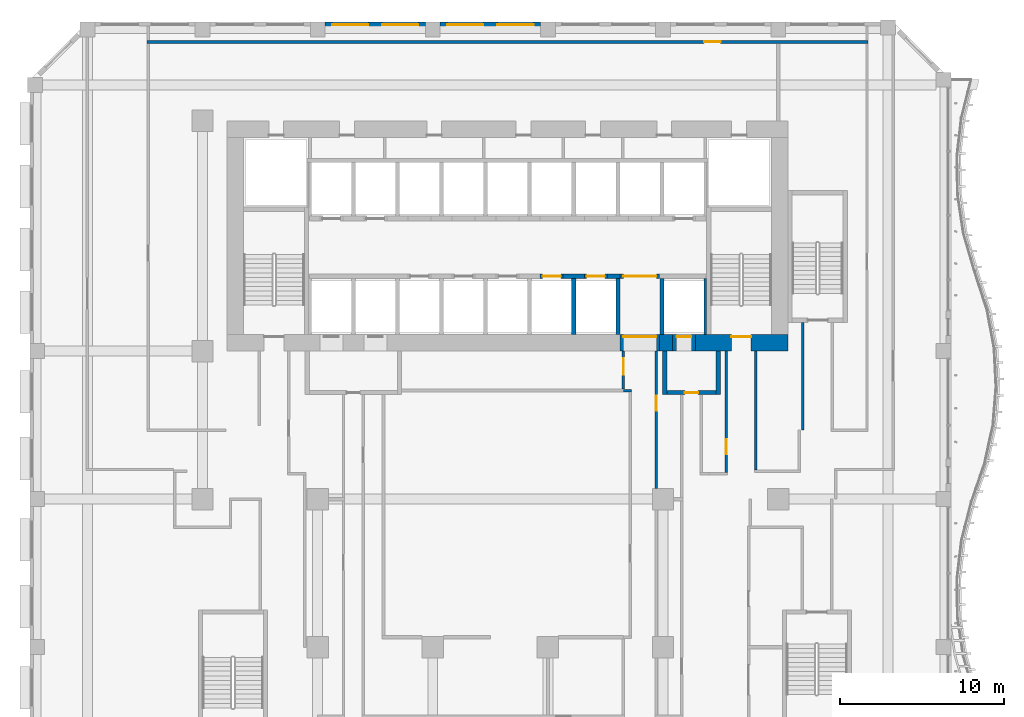
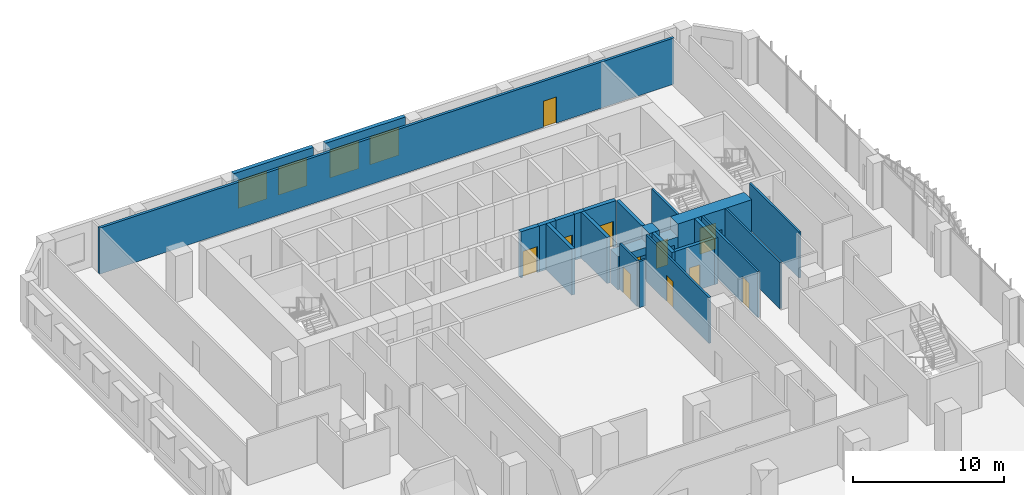
# One storey, part 14 of 27: 25 walls, 11 doors, 4 windows, 15 openings.
"""IFC4 building model written with IfcOpenShell, lengths in metres."""

from ifc_helpers import new_model, si_unit, direction, frame, frame_2d, origin, place, context, subcontext, project, spatial, rectangle, extrude, source, transform, mapped, material, layer, layer_set, type_object, element, fill, save


model = new_model("IFC4")

# Units and contexts
model_context = context("Model", 3, precision=1e-05, world=origin(), true_north=direction((0.0, 1.0)))
body_context = subcontext(model_context, "Body", "Model", "MODEL_VIEW")
ifc_project = project(units=[si_unit("LENGTHUNIT", "METRE"), si_unit("AREAUNIT", "SQUARE_METRE"), si_unit("VOLUMEUNIT", "CUBIC_METRE"), si_unit("PLANEANGLEUNIT", "RADIAN"), si_unit("MASSUNIT", "GRAM", prefix="KILO")], contexts=[model_context])

# Site, building, storey
site_placement = place(None, origin())
site = spatial("IfcSite", under=ifc_project, at=site_placement, CompositionType="ELEMENT")
building_placement = place(site_placement, origin())
building = spatial("IfcBuilding", under=site, at=building_placement, Name="Kilnfold Tower and Market Hall", CompositionType="ELEMENT")
storey_placement = place(building_placement, frame((0.0, 0.0, 47.0)))
storey = spatial("IfcBuildingStorey", under=building, at=storey_placement, Name="L10", CompositionType="ELEMENT", Elevation=47.0)

# Wall, opening, door
ifc_material_1 = material(Name="Gypsum board on steel studs", Category="steel")
ifc_layer_1 = layer(ifc_material_1, 0.14990234375)
ifc_layer_set_1 = layer_set([ifc_layer_1], Name="Gypsum board on steel studs")
wall_type_1 = type_object("IfcWallType", Name="WALL CORRIDOR 150", PredefinedType="PARTITIONING", material=ifc_layer_set_1)
wall_1_placement = place(storey_placement, frame((10.090087890625, -0.35009765625, 0.0), z_axis=(0.0, 0.0, 1.0), x_axis=(0.0, 1.0, 0.0)))
wall_1 = element("IfcWall", 1, at=wall_1_placement, inside=storey, type_object=wall_type_1, Name="Partition LY09.17", PredefinedType="PARTITIONING", context=body_context, shape_type="SweptSolid", body=[
    extrude(rectangle(XDim=8.35009765625, YDim=0.14990234375, at=frame_2d((4.175048828125, 0.0))), origin(), (0.0, 0.0, 1.0), 3.719970703125),
])
opening_1_placement = place(wall_1_placement, frame((4.73193359375, 0.0, 0.0)))
opening_1 = element("IfcOpeningElement", 2, at=opening_1_placement, cuts=wall_1, Name="Opening D2", PredefinedType="OPENING", context=body_context, shape_type="SweptSolid", body=[
    extrude(rectangle(XDim=0.89990234375, YDim=2.10009765625, at=frame_2d((0.449951171875, 1.050048828125))), frame((0.0, 0.0849609375, 0.0), z_axis=(0.0, -1.0, 0.0), x_axis=(1.0, 0.0, 0.0)), (0.0, 0.0, 1.0), 0.169921875),
])
ifc_material_2 = material(Name="Timber veneer door leaf in steel frame", Category="steel")
door_type_1 = type_object("IfcDoorType", Name="DOOR ROOM 900 X2100", OperationType="NOTDEFINED", PredefinedType="DOOR", material=ifc_material_2)
door_1_placement = place(opening_1_placement, origin())
door_1 = element("IfcDoor", 3, at=door_1_placement, inside=storey, type_object=door_type_1, Name="Door D2", OperationType="SINGLE_SWING_RIGHT", OverallHeight=2.10009765625, OverallWidth=0.89990234375, PredefinedType="DOOR", context=body_context, shape_type="SweptSolid", body=[
    extrude(rectangle(XDim=0.89990234375, YDim=2.10009765625, at=frame_2d((0.449951171875, 1.050048828125))), frame((0.0, 0.02490234375, 0.0), z_axis=(0.0, -1.0, 0.0), x_axis=(1.0, 0.0, 0.0)), (0.0, 0.0, 1.0), 0.050048828125),
])
fill(opening_1, door_1)

wall_2_placement = place(storey_placement, frame((14.35009765625, 8.0, 0.0), z_axis=(0.0, 0.0, 1.0), x_axis=(0.0, -1.0, 0.0)))
wall_2 = element("IfcWall", 4, at=wall_2_placement, inside=storey, type_object=wall_type_1, Name="Partition LY09.22", PredefinedType="PARTITIONING", context=body_context, shape_type="SweptSolid", body=[
    extrude(rectangle(XDim=7.375, YDim=0.14990234375, at=frame_2d((3.6875, 0.0))), origin(), (0.0, 0.0, 1.0), 3.719970703125),
])
opening_2_placement = place(wall_2_placement, frame((5.364013671875, 0.0, 0.0)))
opening_2 = element("IfcOpeningElement", 5, at=opening_2_placement, cuts=wall_2, Name="Opening D2", PredefinedType="OPENING", context=body_context, shape_type="SweptSolid", body=[
    extrude(rectangle(XDim=0.89990234375, YDim=2.10009765625, at=frame_2d((0.449951171875, 1.050048828125))), frame((0.0, 0.0849609375, 0.0), z_axis=(0.0, -1.0, 0.0), x_axis=(1.0, 0.0, 0.0)), (0.0, 0.0, 1.0), 0.169921875),
])
door_2_placement = place(opening_2_placement, origin())
door_2 = element("IfcDoor", 6, at=door_2_placement, inside=storey, type_object=door_type_1, Name="Door D2", OperationType="SINGLE_SWING_RIGHT", OverallHeight=2.10009765625, OverallWidth=0.89990234375, PredefinedType="DOOR", context=body_context, shape_type="SweptSolid", body=[
    extrude(rectangle(XDim=0.89990234375, YDim=2.10009765625, at=frame_2d((0.449951171875, 1.050048828125))), frame((0.0, 0.02490234375, 0.0), z_axis=(0.0, -1.0, 0.0), x_axis=(1.0, 0.0, 0.0)), (0.0, 0.0, 1.0), 0.050048828125),
])
fill(opening_2, door_2)

# Walls
wall_3_placement = place(storey_placement, frame((16.14990234375, 0.77490234375, 0.0), z_axis=(0.0, 0.0, 1.0), x_axis=(0.0, 1.0, 0.0)))
element("IfcWall", 7, at=wall_3_placement, inside=storey, type_object=wall_type_1, Name="Partition LY09.23", PredefinedType="PARTITIONING", context=body_context, shape_type="SweptSolid", body=[
    extrude(rectangle(XDim=7.22509765625, YDim=0.14990234375, at=frame_2d((3.612548828125, 0.0))), origin(), (0.0, 0.0, 1.0), 3.719970703125),
])
wall_4_placement = place(storey_placement, frame((19.0, 9.75, 0.0), z_axis=(0.0, 0.0, 1.0), x_axis=(0.0, -1.0, 0.0)))
element("IfcWall", 8, at=wall_4_placement, inside=storey, type_object=wall_type_1, Name="Partition LY09.26", PredefinedType="PARTITIONING", context=body_context, shape_type="SweptSolid", body=[
    extrude(rectangle(XDim=6.550048828125, YDim=0.14990234375, at=frame_2d((3.27490234375, 0.0))), origin(), (0.0, 0.0, 1.0), 3.719970703125),
])

# Wall, opening, door
wall_5_placement = place(storey_placement, frame((8.090087890625, 5.699951171875, 0.0), z_axis=(0.0, 0.0, 1.0), x_axis=(0.0, 1.0, 0.0)))
wall_5 = element("IfcWall", 9, at=wall_5_placement, inside=storey, type_object=wall_type_1, Name="Partition LY09.52", PredefinedType="PARTITIONING", context=body_context, shape_type="SweptSolid", body=[
    extrude(rectangle(XDim=2.300048828125, YDim=0.14990234375, at=frame_2d((1.14990234375, 0.0))), origin(), (0.0, 0.0, 1.0), 3.719970703125),
])
opening_3_placement = place(wall_5_placement, frame((0.875, 0.0, 0.0)))
opening_3 = element("IfcOpeningElement", 10, at=opening_3_placement, cuts=wall_5, Name="Opening D1", PredefinedType="OPENING", context=body_context, shape_type="SweptSolid", body=[
    extrude(rectangle(XDim=1.0, YDim=2.10009765625, at=frame_2d((0.5, 1.050048828125))), frame((0.0, 0.0849609375, 0.0), z_axis=(0.0, -1.0, 0.0), x_axis=(1.0, 0.0, 0.0)), (0.0, 0.0, 1.0), 0.169921875),
])
ifc_material_3 = material(Name="Timber veneer door leaf in steel frame", Category="steel")
door_type_2 = type_object("IfcDoorType", Name="DOOR ENTRY 1000 X2100", OperationType="NOTDEFINED", PredefinedType="DOOR", material=ifc_material_3)
door_3_placement = place(opening_3_placement, origin())
door_3 = element("IfcDoor", 11, at=door_3_placement, inside=storey, type_object=door_type_2, Name="Door D1", OperationType="SINGLE_SWING_LEFT", OverallHeight=2.10009765625, OverallWidth=1.0, PredefinedType="DOOR", context=body_context, shape_type="SweptSolid", body=[
    extrude(rectangle(XDim=1.0, YDim=2.10009765625, at=frame_2d((0.5, 1.050048828125))), frame((0.0, 0.02490234375, 0.0), z_axis=(0.0, -1.0, 0.0), x_axis=(1.0, 0.0, 0.0)), (0.0, 0.0, 1.0), 0.050048828125),
])
fill(opening_3, door_3)

# Wall
wall_6_placement = place(storey_placement, frame((8.090087890625, 5.60009765625, 0.0), z_axis=(0.0, 0.0, 1.0), x_axis=(1.0, 0.0, 0.0)))
element("IfcWall", 12, at=wall_6_placement, inside=storey, type_object=wall_type_1, Name="Partition LY09.57", PredefinedType="PARTITIONING", context=body_context, shape_type="SweptSolid", body=[
    extrude(rectangle(XDim=0.48486328125, YDim=0.14990234375, at=frame_2d((0.242431640625, 0.0))), origin(), (0.0, 0.0, 1.0), 3.719970703125),
])

# Wall, opening, door
ifc_material_4 = material(Name="Gypsum board on steel studs", Category="steel")
ifc_layer_2 = layer(ifc_material_4, 0.199951171875)
ifc_layer_set_2 = layer_set([ifc_layer_2], Name="Gypsum board on steel studs")
wall_type_2 = type_object("IfcWallType", Name="WALL PARTY 200", PredefinedType="PARTITIONING", material=ifc_layer_set_2)
wall_7_placement = place(storey_placement, frame((-20.8740234375, 26.800048828125, 0.0), z_axis=(0.0, 0.0, 1.0), x_axis=(1.0, 0.0, 0.0)))
wall_7 = element("IfcWall", 13, at=wall_7_placement, inside=storey, type_object=wall_type_2, Name="Partition LY09.59", PredefinedType="PARTITIONING", context=body_context, shape_type="SweptSolid", body=[
    extrude(rectangle(XDim=43.84814453125, YDim=0.199951171875, at=frame_2d((21.924072265625, 0.0))), origin(), (0.0, 0.0, 1.0), 3.719970703125),
])
opening_4_placement = place(wall_7_placement, frame((33.866943359375, 0.0, 0.0)))
opening_4 = element("IfcOpeningElement", 14, at=opening_4_placement, cuts=wall_7, Name="Opening D1", PredefinedType="OPENING", context=body_context, shape_type="SweptSolid", body=[
    extrude(rectangle(XDim=1.0, YDim=2.10009765625, at=frame_2d((0.5, 1.050048828125))), frame((0.0, 0.10986328125, 0.0), z_axis=(0.0, -1.0, 0.0), x_axis=(1.0, 0.0, 0.0)), (0.0, 0.0, 1.0), 0.219970703125),
])
door_4_placement = place(opening_4_placement, origin())
door_4 = element("IfcDoor", 15, at=door_4_placement, inside=storey, type_object=door_type_2, Name="Door D1", OperationType="SINGLE_SWING_RIGHT", OverallHeight=2.10009765625, OverallWidth=1.0, PredefinedType="DOOR", context=body_context, shape_type="SweptSolid", body=[
    extrude(rectangle(XDim=1.0, YDim=2.10009765625, at=frame_2d((0.5, 1.050048828125))), frame((0.0, 0.02490234375, 0.0), z_axis=(0.0, -1.0, 0.0), x_axis=(1.0, 0.0, 0.0)), (0.0, 0.0, 1.0), 0.050048828125),
])
fill(opening_4, door_4)

# Wall
ifc_material_5 = material(Name="Concrete C80", Category="concrete")
ifc_layer_3 = layer(ifc_material_5, 1.0)
ifc_layer_set_3 = layer_set([ifc_layer_3], Name="Concrete C80")
wall_type_3 = type_object("IfcWallType", Name="CORE WALL 1000 C80", PredefinedType="SHEAR", material=ifc_layer_set_3)
shared_shape_1 = source(origin(), body_context, "Body", "SweptSolid", [
    extrude(rectangle(XDim=0.780029296875, YDim=1.0, at=frame_2d((0.39013671875, 0.0))), origin(), (0.0, 0.0, 1.0), 3.719970703125),
])
wall_8_placement = place(storey_placement, frame((10.2900390625, 8.5, 0.0), z_axis=(0.0, 0.0, 1.0), x_axis=(1.0, 0.0, 0.0)))
element("IfcWall", 16, at=wall_8_placement, inside=storey, type_object=wall_type_3, Name="Core outer wall south", PredefinedType="SHEAR", context=body_context, shape_type="MappedRepresentation", body=[
    mapped(shared_shape_1, transform((0.0, 0.0, 0.0))),
])

# Wall, opening, door
shared_shape_2 = source(origin(), body_context, "Body", "SweptSolid", [
    extrude(rectangle(XDim=5.630126953125, YDim=1.0, at=frame_2d((2.81494140625, 0.0))), origin(), (0.0, 0.0, 1.0), 3.719970703125),
])
wall_9_placement = place(storey_placement, frame((12.469970703125, 8.5, 0.0), z_axis=(0.0, 0.0, 1.0), x_axis=(1.0, 0.0, 0.0)))
wall_9 = element("IfcWall", 17, at=wall_9_placement, inside=storey, type_object=wall_type_3, Name="Core outer wall south", PredefinedType="SHEAR", context=body_context, shape_type="MappedRepresentation", body=[
    mapped(shared_shape_2, transform((0.0, 0.0, 0.0))),
])
opening_5_placement = place(wall_9_placement, frame((2.179931640625, 0.0, 0.0)))
opening_5 = element("IfcOpeningElement", 18, at=opening_5_placement, cuts=wall_9, Name="Opening SD1", PredefinedType="OPENING", context=body_context, shape_type="SweptSolid", body=[
    extrude(rectangle(XDim=1.199951171875, YDim=2.10009765625, at=frame_2d((0.60009765625, 1.050048828125))), frame((0.0, 0.510009765625, 0.0), z_axis=(0.0, -1.0, 0.0), x_axis=(1.0, 0.0, 0.0)), (0.0, 0.0, 1.0), 1.02001953125),
])
ifc_material_6 = material(Name="Steel door set with fire-resisting leaf", Category="steel")
door_type_3 = type_object("IfcDoorType", Name="STAIR FLOOR DOOR 1200X2100", OperationType="NOTDEFINED", PredefinedType="DOOR", material=ifc_material_6)
door_5_placement = place(opening_5_placement, origin())
door_5 = element("IfcDoor", 19, at=door_5_placement, inside=storey, type_object=door_type_3, Name="Exit stair ST2 door", OperationType="DOUBLE_DOOR_SINGLE_SWING", OverallHeight=2.10009765625, OverallWidth=1.199951171875, PredefinedType="DOOR", context=body_context, shape_type="SweptSolid", body=[
    extrude(rectangle(XDim=1.199951171875, YDim=2.10009765625, at=frame_2d((0.60009765625, 1.050048828125))), frame((0.0, 0.40478515625, 0.0), z_axis=(0.0, -1.0, 0.0), x_axis=(1.0, 0.0, 0.0)), (0.0, 0.0, 1.0), 0.050048828125),
])
fill(opening_5, door_5)

# Walls
ifc_material_7 = material(Name="Concrete C80", Category="concrete")
ifc_layer_4 = layer(ifc_material_7, 0.300048828125)
ifc_layer_set_4 = layer_set([ifc_layer_4], Name="Concrete C80")
wall_type_4 = type_object("IfcWallType", Name="CORE WALL 300 C80", PredefinedType="SHEAR", material=ifc_layer_set_4)
shared_shape_3 = source(origin(), body_context, "Body", "SweptSolid", [
    extrude(rectangle(XDim=1.280029296875, YDim=0.300048828125, at=frame_2d((0.64013671875, 0.0))), origin(), (0.0, 0.0, 1.0), 3.719970703125),
])
wall_10_placement = place(storey_placement, frame((4.429931640625, 12.550048828125, 0.0), z_axis=(0.0, 0.0, 1.0), x_axis=(1.0, 0.0, 0.0)))
element("IfcWall", 20, at=wall_10_placement, inside=storey, type_object=wall_type_4, Name="Core spine wall", PredefinedType="SHEAR", context=body_context, shape_type="MappedRepresentation", body=[
    mapped(shared_shape_3, transform((0.0, 0.0, 0.0))),
])
shared_shape_4 = source(origin(), body_context, "Body", "SweptSolid", [
    extrude(rectangle(XDim=0.77978515625, YDim=0.300048828125, at=frame_2d((0.389892578125, 0.0))), origin(), (0.0, 0.0, 1.0), 3.719970703125),
])
wall_11_placement = place(storey_placement, frame((7.110107421875, 12.550048828125, 0.0), z_axis=(0.0, 0.0, 1.0), x_axis=(1.0, 0.0, 0.0)))
element("IfcWall", 21, at=wall_11_placement, inside=storey, type_object=wall_type_4, Name="Core spine wall", PredefinedType="SHEAR", context=body_context, shape_type="MappedRepresentation", body=[
    mapped(shared_shape_4, transform((0.0, 0.0, 0.0))),
])

# Wall, openings, windows
ifc_material_8 = material(Name="Precast concrete C50/60", Category="concrete")
ifc_layer_5 = layer(ifc_material_8, 0.300048828125)
ifc_layer_set_5 = layer_set([ifc_layer_5], Name="Precast concrete C50/60")
wall_type_5 = type_object("IfcWallType", Name="PRECAST WALL 300", PredefinedType="SOLIDWALL", material=ifc_layer_set_5)
shared_shape_5 = source(origin(), body_context, "Body", "SweptSolid", [
    extrude(rectangle(XDim=6.10009765625, YDim=0.300048828125, at=frame_2d((3.050048828125, 0.0))), origin(), (0.0, 0.0, 1.0), 3.719970703125),
])
wall_12_placement = place(storey_placement, frame((3.050048828125, 27.85009765625, 0.0), z_axis=(0.0, 0.0, 1.0), x_axis=(-1.0, 0.0, 0.0)))
wall_12 = element("IfcWall", 22, at=wall_12_placement, inside=storey, type_object=wall_type_5, Name="External wall L10 N", PredefinedType="SOLIDWALL", context=body_context, shape_type="MappedRepresentation", body=[
    mapped(shared_shape_5, transform((0.0, 0.0, 0.0))),
])
opening_6_placement = place(wall_12_placement, frame((0.425048828125, 0.0, 0.699951171875)))
opening_6 = element("IfcOpeningElement", 23, at=opening_6_placement, cuts=wall_12, Name="Opening W1", PredefinedType="OPENING", context=body_context, shape_type="SweptSolid", body=[
    extrude(rectangle(XDim=2.199951171875, YDim=2.25, at=frame_2d((1.10009765625, 1.125))), frame((0.0, 0.16015625, 0.0), z_axis=(0.0, -1.0, 0.0), x_axis=(1.0, 0.0, 0.0)), (0.0, 0.0, 1.0), 0.320068359375),
])
opening_7_placement = place(wall_12_placement, frame((3.47509765625, 0.0, 0.699951171875)))
opening_7 = element("IfcOpeningElement", 24, at=opening_7_placement, cuts=wall_12, Name="Opening W1", PredefinedType="OPENING", context=body_context, shape_type="SweptSolid", body=[
    extrude(rectangle(XDim=2.199951171875, YDim=2.25, at=frame_2d((1.10009765625, 1.125))), frame((0.0, 0.16015625, 0.0), z_axis=(0.0, -1.0, 0.0), x_axis=(1.0, 0.0, 0.0)), (0.0, 0.0, 1.0), 0.320068359375),
])
ifc_material_9 = material(Name="Aluminium frame and double glazing", Category="aluminium")
window_type = type_object("IfcWindowType", Name="WINDOW W1 2200X2250", PartitioningType="SINGLE_PANEL", PredefinedType="WINDOW", material=ifc_material_9)
window_1_placement = place(opening_6_placement, origin())
window_1 = element("IfcWindow", 25, at=window_1_placement, inside=storey, type_object=window_type, Name="Window W1 L10 N-1", OverallHeight=2.25, OverallWidth=2.199951171875, PartitioningType="SINGLE_PANEL", PredefinedType="WINDOW", context=body_context, shape_type="SweptSolid", body=[
    extrude(rectangle(XDim=2.199951171875, YDim=2.25, at=frame_2d((1.10009765625, 1.125))), frame((0.0, 0.030029296875, 0.0), z_axis=(0.0, -1.0, 0.0), x_axis=(1.0, 0.0, 0.0)), (0.0, 0.0, 1.0), 0.06005859375),
])
fill(opening_6, window_1)
window_2_placement = place(opening_7_placement, origin())
window_2 = element("IfcWindow", 26, at=window_2_placement, inside=storey, type_object=window_type, Name="Window W1 L10 N-2", OverallHeight=2.25, OverallWidth=2.199951171875, PartitioningType="SINGLE_PANEL", PredefinedType="WINDOW", context=body_context, shape_type="SweptSolid", body=[
    extrude(rectangle(XDim=2.199951171875, YDim=2.25, at=frame_2d((1.10009765625, 1.125))), frame((0.0, 0.030029296875, 0.0), z_axis=(0.0, -1.0, 0.0), x_axis=(1.0, 0.0, 0.0)), (0.0, 0.0, 1.0), 0.06005859375),
])
fill(opening_7, window_2)

wall_13_placement = place(storey_placement, frame((-3.949951171875, 27.85009765625, 0.0), z_axis=(0.0, 0.0, 1.0), x_axis=(-1.0, 0.0, 0.0)))
wall_13 = element("IfcWall", 27, at=wall_13_placement, inside=storey, type_object=wall_type_5, Name="External wall L10 N", PredefinedType="SOLIDWALL", context=body_context, shape_type="MappedRepresentation", body=[
    mapped(shared_shape_5, transform((0.0, 0.0, 0.0))),
])
opening_8_placement = place(wall_13_placement, frame((0.425048828125, 0.0, 0.699951171875)))
opening_8 = element("IfcOpeningElement", 28, at=opening_8_placement, cuts=wall_13, Name="Opening W1", PredefinedType="OPENING", context=body_context, shape_type="SweptSolid", body=[
    extrude(rectangle(XDim=2.199951171875, YDim=2.25, at=frame_2d((1.10009765625, 1.125))), frame((0.0, 0.16015625, 0.0), z_axis=(0.0, -1.0, 0.0), x_axis=(1.0, 0.0, 0.0)), (0.0, 0.0, 1.0), 0.320068359375),
])
opening_9_placement = place(wall_13_placement, frame((3.47509765625, 0.0, 0.699951171875)))
opening_9 = element("IfcOpeningElement", 29, at=opening_9_placement, cuts=wall_13, Name="Opening W1", PredefinedType="OPENING", context=body_context, shape_type="SweptSolid", body=[
    extrude(rectangle(XDim=2.199951171875, YDim=2.25, at=frame_2d((1.10009765625, 1.125))), frame((0.0, 0.16015625, 0.0), z_axis=(0.0, -1.0, 0.0), x_axis=(1.0, 0.0, 0.0)), (0.0, 0.0, 1.0), 0.320068359375),
])
window_3_placement = place(opening_8_placement, origin())
window_3 = element("IfcWindow", 30, at=window_3_placement, inside=storey, type_object=window_type, Name="Window W1 L10 N-1", OverallHeight=2.25, OverallWidth=2.199951171875, PartitioningType="SINGLE_PANEL", PredefinedType="WINDOW", context=body_context, shape_type="SweptSolid", body=[
    extrude(rectangle(XDim=2.199951171875, YDim=2.25, at=frame_2d((1.10009765625, 1.125))), frame((0.0, 0.030029296875, 0.0), z_axis=(0.0, -1.0, 0.0), x_axis=(1.0, 0.0, 0.0)), (0.0, 0.0, 1.0), 0.06005859375),
])
fill(opening_8, window_3)
window_4_placement = place(opening_9_placement, origin())
window_4 = element("IfcWindow", 31, at=window_4_placement, inside=storey, type_object=window_type, Name="Window W1 L10 N-2", OverallHeight=2.25, OverallWidth=2.199951171875, PartitioningType="SINGLE_PANEL", PredefinedType="WINDOW", context=body_context, shape_type="SweptSolid", body=[
    extrude(rectangle(XDim=2.199951171875, YDim=2.25, at=frame_2d((1.10009765625, 1.125))), frame((0.0, 0.030029296875, 0.0), z_axis=(0.0, -1.0, 0.0), x_axis=(1.0, 0.0, 0.0)), (0.0, 0.0, 1.0), 0.06005859375),
])
fill(opening_9, window_4)

# Wall, opening, door
ifc_material_10 = material(Name="Gypsum shaft wall system")
ifc_layer_6 = layer(ifc_material_10, 1.0)
ifc_layer_set_6 = layer_set([ifc_layer_6], Name="Gypsum shaft wall system")
wall_type_6 = type_object("IfcWallType", Name="LOBBY WALL 1000", PredefinedType="PARTITIONING", material=ifc_layer_set_6)
shared_shape_6 = source(origin(), body_context, "Body", "SweptSolid", [
    extrude(rectangle(XDim=1.39990234375, YDim=1.0, at=frame_2d((0.699951171875, 0.0))), origin(), (0.0, 0.0, 1.0), 2.699951171875),
])
wall_14_placement = place(storey_placement, frame((11.070068359375, 8.5, 0.0), z_axis=(0.0, 0.0, 1.0), x_axis=(1.0, 0.0, 0.0)))
wall_14 = element("IfcWall", 32, at=wall_14_placement, inside=storey, type_object=wall_type_6, Name="Core wall infill", PredefinedType="PARTITIONING", context=body_context, shape_type="MappedRepresentation", body=[
    mapped(shared_shape_6, transform((0.0, 0.0, 0.0))),
])
opening_10_placement = place(wall_14_placement, frame((0.25, 0.0, 0.0)))
opening_10 = element("IfcOpeningElement", 33, at=opening_10_placement, cuts=wall_14, Name="Opening LD1", PredefinedType="OPENING", context=body_context, shape_type="SweptSolid", body=[
    extrude(rectangle(XDim=0.89990234375, YDim=2.10009765625, at=frame_2d((0.449951171875, 1.050048828125))), frame((0.0, 0.510009765625, 0.0), z_axis=(0.0, -1.0, 0.0), x_axis=(1.0, 0.0, 0.0)), (0.0, 0.0, 1.0), 1.02001953125),
])
ifc_material_11 = material(Name="Steel door set with fire-resisting leaf", Category="steel")
door_type_4 = type_object("IfcDoorType", Name="FIREFIGHTING LANDING DOOR 900X2100", OperationType="NOTDEFINED", PredefinedType="DOOR", material=ifc_material_11)
door_6_placement = place(opening_10_placement, origin())
door_6 = element("IfcDoor", 34, at=door_6_placement, inside=storey, type_object=door_type_4, Name="Landing door FF3", OperationType="SLIDING_TO_LEFT", OverallHeight=2.10009765625, OverallWidth=0.89990234375, PredefinedType="DOOR", context=body_context, shape_type="SweptSolid", body=[
    extrude(rectangle(XDim=0.89990234375, YDim=2.10009765625, at=frame_2d((0.449951171875, 1.050048828125))), frame((0.0, 0.40478515625, 0.0), z_axis=(0.0, -1.0, 0.0), x_axis=(1.0, 0.0, 0.0)), (0.0, 0.0, 1.0), 0.050048828125),
])
fill(opening_10, door_6)

shared_shape_7 = source(origin(), body_context, "Body", "SweptSolid", [
    extrude(rectangle(XDim=2.400146484375, YDim=1.0, at=frame_2d((1.2001953125, 0.0))), origin(), (0.0, 0.0, 1.0), 2.699951171875),
])
wall_15_placement = place(storey_placement, frame((7.889892578125, 8.5, 0.0), z_axis=(0.0, 0.0, 1.0), x_axis=(1.0, 0.0, 0.0)))
wall_15 = element("IfcWall", 35, at=wall_15_placement, inside=storey, type_object=wall_type_6, Name="Core wall infill", PredefinedType="PARTITIONING", context=body_context, shape_type="MappedRepresentation", body=[
    mapped(shared_shape_7, transform((0.0, 0.0, 0.0))),
])
opening_11_placement = place(wall_15_placement, frame((0.199951171875, 0.0, 0.0)))
opening_11 = element("IfcOpeningElement", 36, at=opening_11_placement, cuts=wall_15, Name="Opening VD2", PredefinedType="OPENING", context=body_context, shape_type="SweptSolid", body=[
    extrude(rectangle(XDim=2.0, YDim=2.10009765625, at=frame_2d((1.0, 1.050048828125))), frame((0.0, 0.510009765625, 0.0), z_axis=(0.0, -1.0, 0.0), x_axis=(1.0, 0.0, 0.0)), (0.0, 0.0, 1.0), 1.02001953125),
])
ifc_material_12 = material(Name="Steel door set with fire-resisting leaf", Category="steel")
door_type_5 = type_object("IfcDoorType", Name="LIFT LOBBY ENTRANCE DOOR 2000X2100", OperationType="NOTDEFINED", PredefinedType="DOOR", material=ifc_material_12)
door_7_placement = place(opening_11_placement, origin())
door_7 = element("IfcDoor", 37, at=door_7_placement, inside=storey, type_object=door_type_5, Name="Lift lobby entrance door", OperationType="DOUBLE_DOOR_SINGLE_SWING", OverallHeight=2.10009765625, OverallWidth=2.0, PredefinedType="DOOR", context=body_context, shape_type="SweptSolid", body=[
    extrude(rectangle(XDim=2.0, YDim=2.10009765625, at=frame_2d((1.0, 1.050048828125))), frame((0.0, 0.40478515625, 0.0), z_axis=(0.0, -1.0, 0.0), x_axis=(1.0, 0.0, 0.0)), (0.0, 0.0, 1.0), 0.050048828125),
])
fill(opening_11, door_7)

ifc_material_13 = material(Name="Gypsum shaft wall system")
ifc_layer_7 = layer(ifc_material_13, 0.300048828125)
ifc_layer_set_7 = layer_set([ifc_layer_7], Name="Gypsum shaft wall system")
wall_type_7 = type_object("IfcWallType", Name="SHAFT WALL 300", PredefinedType="PARTITIONING", material=ifc_layer_set_7)
shared_shape_8 = source(origin(), body_context, "Body", "SweptSolid", [
    extrude(rectangle(XDim=1.39990234375, YDim=0.300048828125, at=frame_2d((0.699951171875, 0.0))), origin(), (0.0, 0.0, 1.0), 3.719970703125),
])
wall_16_placement = place(storey_placement, frame((3.030029296875, 12.550048828125, 0.0), z_axis=(0.0, 0.0, 1.0), x_axis=(1.0, 0.0, 0.0)))
wall_16 = element("IfcWall", 38, at=wall_16_placement, inside=storey, type_object=wall_type_7, Name="Lift shaft front wall", PredefinedType="PARTITIONING", context=body_context, shape_type="MappedRepresentation", body=[
    mapped(shared_shape_8, transform((0.0, 0.0, 0.0))),
])
opening_12_placement = place(wall_16_placement, frame((0.14990234375, 0.0, 0.0)))
opening_12 = element("IfcOpeningElement", 39, at=opening_12_placement, cuts=wall_16, Name="Opening LD2", PredefinedType="OPENING", context=body_context, shape_type="SweptSolid", body=[
    extrude(rectangle(XDim=1.10009765625, YDim=2.10009765625, at=frame_2d((0.550048828125, 1.050048828125))), frame((0.0, 0.16015625, 0.0), z_axis=(0.0, -1.0, 0.0), x_axis=(1.0, 0.0, 0.0)), (0.0, 0.0, 1.0), 0.320068359375),
])
ifc_material_14 = material(Name="Steel door set with fire-resisting leaf", Category="steel")
door_type_6 = type_object("IfcDoorType", Name="LANDING DOOR 1100X2100", OperationType="NOTDEFINED", PredefinedType="DOOR", material=ifc_material_14)
door_8_placement = place(opening_12_placement, origin())
door_8 = element("IfcDoor", 40, at=door_8_placement, inside=storey, type_object=door_type_6, Name="Landing door LR4", OperationType="DOUBLE_DOOR_SLIDING", OverallHeight=2.10009765625, OverallWidth=1.10009765625, PredefinedType="DOOR", context=body_context, shape_type="SweptSolid", body=[
    extrude(rectangle(XDim=1.10009765625, YDim=2.10009765625, at=frame_2d((0.550048828125, 1.050048828125))), frame((0.0, 0.02490234375, 0.0), z_axis=(0.0, -1.0, 0.0), x_axis=(1.0, 0.0, 0.0)), (0.0, 0.0, 1.0), 0.050048828125),
])
fill(opening_12, door_8)

shared_shape_9 = source(origin(), body_context, "Body", "SweptSolid", [
    extrude(rectangle(XDim=1.400146484375, YDim=0.300048828125, at=frame_2d((0.7001953125, 0.0))), origin(), (0.0, 0.0, 1.0), 3.719970703125),
])
wall_17_placement = place(storey_placement, frame((5.7099609375, 12.550048828125, 0.0), z_axis=(0.0, 0.0, 1.0), x_axis=(1.0, 0.0, 0.0)))
wall_17 = element("IfcWall", 41, at=wall_17_placement, inside=storey, type_object=wall_type_7, Name="Lift shaft front wall", PredefinedType="PARTITIONING", context=body_context, shape_type="MappedRepresentation", body=[
    mapped(shared_shape_9, transform((0.0, 0.0, 0.0))),
])
opening_13_placement = place(wall_17_placement, frame((0.14990234375, 0.0, 0.0)))
opening_13 = element("IfcOpeningElement", 42, at=opening_13_placement, cuts=wall_17, Name="Opening LD2", PredefinedType="OPENING", context=body_context, shape_type="SweptSolid", body=[
    extrude(rectangle(XDim=1.10009765625, YDim=2.10009765625, at=frame_2d((0.550048828125, 1.050048828125))), frame((0.0, 0.16015625, 0.0), z_axis=(0.0, -1.0, 0.0), x_axis=(1.0, 0.0, 0.0)), (0.0, 0.0, 1.0), 0.320068359375),
])
door_9_placement = place(opening_13_placement, origin())
door_9 = element("IfcDoor", 43, at=door_9_placement, inside=storey, type_object=door_type_6, Name="Landing door LR5", OperationType="DOUBLE_DOOR_SLIDING", OverallHeight=2.10009765625, OverallWidth=1.10009765625, PredefinedType="DOOR", context=body_context, shape_type="SweptSolid", body=[
    extrude(rectangle(XDim=1.10009765625, YDim=2.10009765625, at=frame_2d((0.550048828125, 1.050048828125))), frame((0.0, 0.02490234375, 0.0), z_axis=(0.0, -1.0, 0.0), x_axis=(1.0, 0.0, 0.0)), (0.0, 0.0, 1.0), 0.050048828125),
])
fill(opening_13, door_9)

shared_shape_10 = source(origin(), body_context, "Body", "SweptSolid", [
    extrude(rectangle(XDim=2.400146484375, YDim=0.300048828125, at=frame_2d((1.2001953125, 0.0))), origin(), (0.0, 0.0, 1.0), 3.719970703125),
])
wall_18_placement = place(storey_placement, frame((7.889892578125, 12.550048828125, 0.0), z_axis=(0.0, 0.0, 1.0), x_axis=(1.0, 0.0, 0.0)))
wall_18 = element("IfcWall", 44, at=wall_18_placement, inside=storey, type_object=wall_type_7, Name="Lift shaft front wall", PredefinedType="PARTITIONING", context=body_context, shape_type="MappedRepresentation", body=[
    mapped(shared_shape_10, transform((0.0, 0.0, 0.0))),
])
opening_14_placement = place(wall_18_placement, frame((0.199951171875, 0.0, 0.0)))
opening_14 = element("IfcOpeningElement", 45, at=opening_14_placement, cuts=wall_18, Name="Opening VD2", PredefinedType="OPENING", context=body_context, shape_type="SweptSolid", body=[
    extrude(rectangle(XDim=2.0, YDim=2.10009765625, at=frame_2d((1.0, 1.050048828125))), frame((0.0, 0.16015625, 0.0), z_axis=(0.0, -1.0, 0.0), x_axis=(1.0, 0.0, 0.0)), (0.0, 0.0, 1.0), 0.320068359375),
])
door_10_placement = place(opening_14_placement, origin())
door_10 = element("IfcDoor", 46, at=door_10_placement, inside=storey, type_object=door_type_5, Name="Lift lobby entrance door", OperationType="DOUBLE_DOOR_SINGLE_SWING", OverallHeight=2.10009765625, OverallWidth=2.0, PredefinedType="DOOR", context=body_context, shape_type="SweptSolid", body=[
    extrude(rectangle(XDim=2.0, YDim=2.10009765625, at=frame_2d((1.0, 1.050048828125))), frame((0.0, 0.02490234375, 0.0), z_axis=(0.0, -1.0, 0.0), x_axis=(1.0, 0.0, 0.0)), (0.0, 0.0, 1.0), 0.050048828125),
])
fill(opening_14, door_10)

# Walls
ifc_material_15 = material(Name="Gypsum shaft wall system")
ifc_layer_8 = layer(ifc_material_15, 0.25)
ifc_layer_set_8 = layer_set([ifc_layer_8], Name="Gypsum shaft wall system")
wall_type_8 = type_object("IfcWallType", Name="LOBBY WALL 250", PredefinedType="PARTITIONING", material=ifc_layer_set_8)
shared_shape_11 = source(origin(), body_context, "Body", "SweptSolid", [
    extrude(rectangle(XDim=2.64990234375, YDim=0.25, at=frame_2d((1.324951171875, 0.0))), origin(), (0.0, 0.0, 1.0), 3.719970703125),
])
for number, where, z_axis, x_axis, name in (
    (47, (10.60498046875, 5.35009765625, 0.0), (0.0, 0.0, 1.0), (0.0, 1.0, 0.0), "Firefighting lobby wall"),
    (48, (13.85498046875, 5.35009765625, 0.0), (0.0, 0.0, 1.0), (0.0, 1.0, 0.0), "Firefighting lobby wall"),
):
    element("IfcWall", number, at=place(storey_placement, frame(where, z_axis=z_axis, x_axis=x_axis)), inside=storey, type_object=wall_type_8, Name=name, PredefinedType="PARTITIONING", context=body_context, shape_type="MappedRepresentation", body=[
        mapped(shared_shape_11, transform((0.0, 0.0, 0.0))),
    ])

# Wall, opening, door
shared_shape_12 = source(origin(), body_context, "Body", "SweptSolid", [
    extrude(rectangle(XDim=3.0, YDim=0.25, at=frame_2d((1.5, 0.0))), origin(), (0.0, 0.0, 1.0), 3.719970703125),
])
wall_19_placement = place(storey_placement, frame((10.72998046875, 5.47509765625, 0.0), z_axis=(0.0, 0.0, 1.0), x_axis=(1.0, 0.0, 0.0)))
wall_19 = element("IfcWall", 49, at=wall_19_placement, inside=storey, type_object=wall_type_8, Name="Firefighting lobby wall", PredefinedType="PARTITIONING", context=body_context, shape_type="MappedRepresentation", body=[
    mapped(shared_shape_12, transform((0.0, 0.0, 0.0))),
])
opening_15_placement = place(wall_19_placement, frame((1.10009765625, 0.0, 0.0)))
opening_15 = element("IfcOpeningElement", 50, at=opening_15_placement, cuts=wall_19, Name="Opening VD1", PredefinedType="OPENING", context=body_context, shape_type="SweptSolid", body=[
    extrude(rectangle(XDim=0.800048828125, YDim=2.0, at=frame_2d((0.39990234375, 1.0))), frame((0.0, 0.135009765625, 0.0), z_axis=(0.0, -1.0, 0.0), x_axis=(1.0, 0.0, 0.0)), (0.0, 0.0, 1.0), 0.27001953125),
])
ifc_material_16 = material(Name="Steel door set with fire-resisting leaf", Category="steel")
door_type_7 = type_object("IfcDoorType", Name="FIREFIGHTING LOBBY DOOR 800X2000", OperationType="NOTDEFINED", PredefinedType="DOOR", material=ifc_material_16)
door_11_placement = place(opening_15_placement, origin())
door_11 = element("IfcDoor", 51, at=door_11_placement, inside=storey, type_object=door_type_7, Name="Firefighting lobby door", OperationType="SINGLE_SWING_RIGHT", OverallHeight=2.0, OverallWidth=0.800048828125, PredefinedType="DOOR", context=body_context, shape_type="SweptSolid", body=[
    extrude(rectangle(XDim=0.800048828125, YDim=2.0, at=frame_2d((0.39990234375, 1.0))), frame((0.0, 0.02490234375, 0.0), z_axis=(0.0, -1.0, 0.0), x_axis=(1.0, 0.0, 0.0)), (0.0, 0.0, 1.0), 0.050048828125),
])
fill(opening_15, door_11)

# Walls
ifc_material_17 = material(Name="Gypsum shaft wall system")
ifc_layer_9 = layer(ifc_material_17, 0.25)
ifc_layer_set_9 = layer_set([ifc_layer_9], Name="Gypsum shaft wall system")
wall_type_9 = type_object("IfcWallType", Name="SHAFT WALL 250", PredefinedType="PARTITIONING", material=ifc_layer_set_9)
shared_shape_13 = source(origin(), body_context, "Body", "SweptSolid", [
    extrude(rectangle(XDim=3.39990234375, YDim=0.25, at=frame_2d((1.699951171875, 0.0))), origin(), (0.0, 0.0, 1.0), 3.719970703125),
])
for number, where, z_axis, x_axis, name in (
    (52, (10.429931640625, 9.0, 0.0), (0.0, 0.0, 1.0), (0.0, 1.0, 0.0), "Lift shaft wall"),
    (53, (5.070068359375, 9.0, 0.0), (0.0, 0.0, 1.0), (0.0, 1.0, 0.0), "Lift shaft wall"),
    (54, (7.75, 9.0, 0.0), (0.0, 0.0, 1.0), (0.0, 1.0, 0.0), "Lift shaft wall"),
):
    element("IfcWall", number, at=place(storey_placement, frame(where, z_axis=z_axis, x_axis=x_axis)), inside=storey, type_object=wall_type_9, Name=name, PredefinedType="PARTITIONING", context=body_context, shape_type="MappedRepresentation", body=[
        mapped(shared_shape_13, transform((0.0, 0.0, 0.0))),
    ])
ifc_material_18 = material(Name="Gypsum shaft wall system")
ifc_layer_10 = layer(ifc_material_18, 0.1650390625)
ifc_layer_set_10 = layer_set([ifc_layer_10], Name="Gypsum shaft wall system")
wall_type_10 = type_object("IfcWallType", Name="SHAFT WALL 165", PredefinedType="PARTITIONING", material=ifc_layer_set_10)
shared_shape_14 = source(origin(), body_context, "Body", "SweptSolid", [
    extrude(rectangle(XDim=3.39990234375, YDim=0.1650390625, at=frame_2d((1.699951171875, 0.0))), origin(), (0.0, 0.0, 1.0), 3.719970703125),
])
wall_20_placement = place(storey_placement, frame((13.0673828125, 9.0, 0.0), z_axis=(0.0, 0.0, 1.0), x_axis=(0.0, 1.0, 0.0)))
element("IfcWall", 55, at=wall_20_placement, inside=storey, type_object=wall_type_10, Name="Lift shaft wall", PredefinedType="PARTITIONING", context=body_context, shape_type="MappedRepresentation", body=[
    mapped(shared_shape_14, transform((0.0, 0.0, 0.0))),
])

save(model, "model.ifc")
